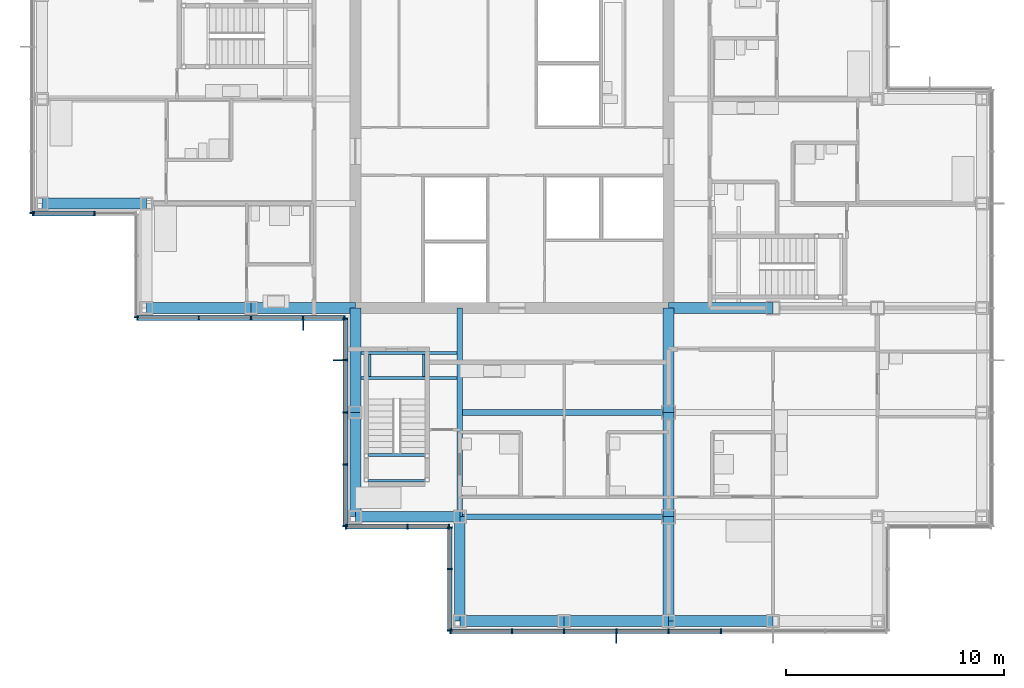
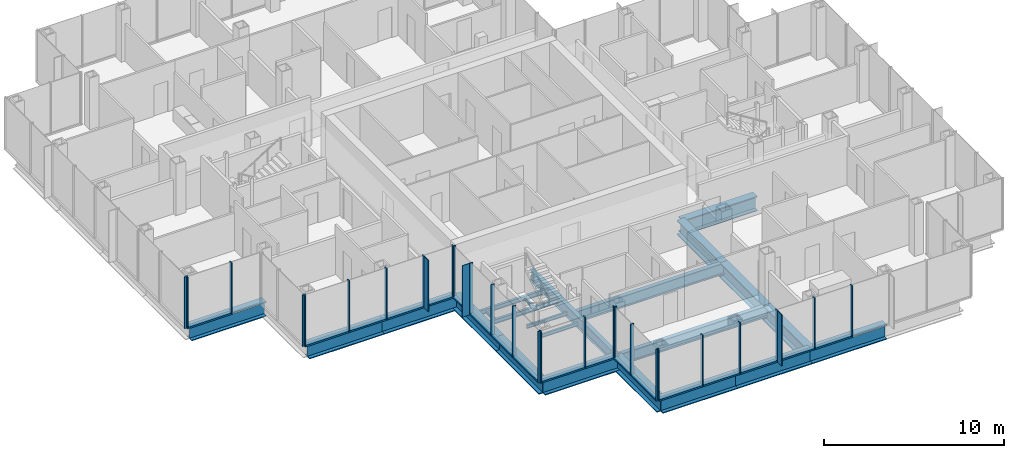
# One storey, part 6 of 20: 47 members, 23 beams, 8 elements without a shape of their own.
"""IFC4 building model written with IfcOpenShell, lengths in metres."""

import ifcopenshell
import ifcopenshell.guid

model = None  # the IFC model being written
_history = None  # IfcOwnerHistory: only IFC2X3 demands one
_inside = {}  # id of a spatial element -> (the spatial element, [elements in it])
_under = {}  # id of a project, library or spatial element -> (it, [spatial elements below it])
_declared = {}  # id of a project -> (the project, [libraries it declares])
_typed = {}  # id of a type object -> (the type object, [elements of that type])
_made_of = {}  # id of a material, layer set ... -> (it, [elements and type objects made of it])


def new_model(schema):
    """Start an empty IFC model of exactly this schema.

    Asked for "IFC4X3", IfcOpenShell would pick the latest addendum, in which some entities
    have other attributes; the version numbers below select the first issue.
    IFC2X3 requires an IfcOwnerHistory on every rooted entity: one is made here for all.
    """
    global model, _history
    if schema == "IFC4X3":
        model = ifcopenshell.file(schema_version=(4, 3, 0, 0))
    else:
        model = ifcopenshell.file(schema=schema)
    _inside.clear()
    _under.clear()
    _declared.clear()
    _typed.clear()
    _made_of.clear()
    _history = None
    if model.schema == "IFC2X3":
        org = make("IfcOrganization", Name="unknown")
        user = make(
            "IfcPersonAndOrganization",
            ThePerson=make("IfcPerson", FamilyName="unknown"),
            TheOrganization=org,
        )
        app = make(
            "IfcApplication",
            ApplicationDeveloper=org,
            Version="unknown",
            ApplicationFullName="unknown",
            ApplicationIdentifier="unknown",
        )
        _history = make(
            "IfcOwnerHistory",
            OwningUser=user,
            OwningApplication=app,
            ChangeAction="ADDED",
            CreationDate=0,
        )
    return model


def make(cls, **values):
    """One entity of the class cls with the attributes given. An attribute that is None is left unset."""
    return model.create_entity(
        cls, **{name: value for name, value in values.items() if value is not None}
    )


def rooted(cls, **values):
    """An entity with a GlobalId (a new one), such as an element, a storey or a relation."""
    return make(cls, GlobalId=ifcopenshell.guid.new(), OwnerHistory=_history, **values)


def si_unit(unit_type, name, prefix=None):
    """IfcSIUnit, for example si_unit("LENGTHUNIT", "METRE", prefix="MILLI")."""
    return make("IfcSIUnit", UnitType=unit_type, Prefix=prefix, Name=name)


def assignment(units):
    """IfcUnitAssignment: the units of a project."""
    return None if units is None else make("IfcUnitAssignment", Units=units)


def point(xyz):
    """IfcCartesianPoint."""
    return None if xyz is None else make("IfcCartesianPoint", Coordinates=xyz)


def direction(xyz):
    """IfcDirection."""
    return None if xyz is None else make("IfcDirection", DirectionRatios=xyz)


def frame(location, z_axis=None, x_axis=None):
    """IfcAxis2Placement3D, a coordinate frame: its origin and axes. An axis left out is left unset."""
    return make(
        "IfcAxis2Placement3D",
        Location=point(location),
        Axis=direction(z_axis),
        RefDirection=direction(x_axis),
    )


def frame_2d(location, x_axis=None):
    """IfcAxis2Placement2D, a coordinate frame in the plane: its origin and x axis."""
    return make(
        "IfcAxis2Placement2D", Location=point(location), RefDirection=direction(x_axis)
    )


def origin():
    """The frame at (0, 0, 0) with its axes left unset."""
    return frame((0.0, 0.0, 0.0))


def origin_2d():
    """The frame at (0, 0) in the plane with its x axis left unset."""
    return frame_2d((0.0, 0.0))


def place(relative_to, where):
    """IfcLocalPlacement: puts the frame where relative to a parent placement (None: the world)."""
    return make(
        "IfcLocalPlacement", PlacementRelTo=relative_to, RelativePlacement=where
    )


def context(
    kind, dimensions, precision=None, world=None, true_north=None, identifier=None
):
    """IfcGeometricRepresentationContext, for example the 3D "Model" context."""
    return make(
        "IfcGeometricRepresentationContext",
        ContextIdentifier=identifier,
        ContextType=kind,
        CoordinateSpaceDimension=dimensions,
        Precision=precision,
        WorldCoordinateSystem=world,
        TrueNorth=true_north,
    )


def subcontext(parent, identifier, kind, view, scale=None):
    """IfcGeometricRepresentationSubContext, for example "Body" below "Model"."""
    return make(
        "IfcGeometricRepresentationSubContext",
        ContextIdentifier=identifier,
        ContextType=kind,
        ParentContext=parent,
        TargetScale=scale,
        TargetView=view,
    )


def project(units=None, contexts=None):
    """IfcProject with its units and contexts."""
    return rooted(
        "IfcProject",
        Name="project",
        RepresentationContexts=contexts,
        UnitsInContext=assignment(units),
    )


def spatial(cls, under=None, at=None, **own):
    """A site, building, storey or space (cls), placed at a placement, below another one or the project."""
    s = rooted(cls, ObjectPlacement=at, **own)
    if under is not None:
        _under.setdefault(under.id(), (under, []))[1].append(s)
    return s


def profile(cls, at=None, kind="AREA", **sizes):
    """A parametric profile (cls). Its sizes go by their IFC names, for example OverallWidth=200.0."""
    return make(cls, ProfileType=kind, Position=at, **sizes)


def rectangle(**sizes):
    """IfcRectangleProfileDef."""
    return profile("IfcRectangleProfileDef", **sizes)


def i_section(**sizes):
    """IfcIShapeProfileDef."""
    return profile("IfcIShapeProfileDef", **sizes)


def extrude(swept, where, along, depth):
    """IfcExtrudedAreaSolid: the profile swept, set in the frame where, extruded along a direction by depth."""
    return make(
        "IfcExtrudedAreaSolid",
        SweptArea=swept,
        Position=where,
        ExtrudedDirection=direction(along),
        Depth=depth,
    )


def shape(context_of_items, identifier, shape_type, items):
    """IfcShapeRepresentation: the items that make up one representation, for example the "Body"."""
    return make(
        "IfcShapeRepresentation",
        ContextOfItems=context_of_items,
        RepresentationIdentifier=identifier,
        RepresentationType=shape_type,
        Items=items,
    )


def material(Name=None, Category=None):
    """IfcMaterial."""
    return make("IfcMaterial", Name=Name, Category=Category)


def material_profile(
    of_material, cross_section, Name=None, Category=None, Priority=None
):
    """IfcMaterialProfile: a cross section and its material."""
    return make(
        "IfcMaterialProfile",
        Name=Name,
        Material=of_material,
        Profile=cross_section,
        Priority=Priority,
        Category=Category,
    )


def profile_set(profiles, Name=None, composite=None):
    """IfcMaterialProfileSet."""
    return make(
        "IfcMaterialProfileSet",
        Name=Name,
        MaterialProfiles=profiles,
        CompositeProfile=composite,
    )


def made_of(thing, what):
    """Note that an element or type object is made of a material, layer set ...; save() writes the relation."""
    if what is not None:
        _made_of.setdefault(what.id(), (what, []))[1].append(thing)
    return thing


def type_object(cls, material=None, **own):
    """A type object (cls), such as IfcWallType, which elements share."""
    return made_of(rooted(cls, **own), material)


def element(
    cls,
    number,
    at=None,
    inside=None,
    cuts=None,
    type_object=None,
    material=None,
    context=None,
    identifier="Body",
    shape_type=None,
    held_by="IfcProductDefinitionShape",
    body=None,
    shapes=None,
    **own,
):
    """One element of the class cls, such as IfcWall. Its Tag is "e" and its number.

    at: its placement. inside: the storey or other place that contains it. cuts: it is an
    opening in that element (IfcRelVoidsElement). A single representation is given by context,
    identifier, shape_type and body (its items); several are given by shapes. held_by: the class
    of the entity that holds the representations. save() writes the other relations.
    """
    e = rooted(cls, Tag="e%d" % number, ObjectPlacement=at, **own)
    if body is not None:
        shapes = [shape(context, identifier, shape_type, body)]
    if shapes is not None:
        e.Representation = make(held_by, Representations=shapes)
    if inside is not None:
        _inside.setdefault(inside.id(), (inside, []))[1].append(e)
    if cuts is not None:
        rooted(
            "IfcRelVoidsElement", RelatingBuildingElement=cuts, RelatedOpeningElement=e
        )
    if type_object is not None:
        _typed.setdefault(type_object.id(), (type_object, []))[1].append(e)
    return made_of(e, material)


def aggregate(whole, parts):
    """IfcRelAggregates: a whole, such as a stair, and the parts it consists of."""
    return rooted("IfcRelAggregates", RelatingObject=whole, RelatedObjects=parts)


def save(model, path):
    """Write the relations noted so far, then the file.

    IfcRelAggregates (storeys below a building ...), IfcRelContainedInSpatialStructure (elements
    in a storey), IfcRelDefinesByType, IfcRelAssociatesMaterial and IfcRelDeclares: one each for
    every whole, place, type object, material and project.
    """
    for whole, parts in _under.values():
        aggregate(whole, parts)
    for where, things in _inside.values():
        rooted(
            "IfcRelContainedInSpatialStructure",
            RelatedElements=things,
            RelatingStructure=where,
        )
    for kind, things in _typed.values():
        rooted("IfcRelDefinesByType", RelatedObjects=things, RelatingType=kind)
    for what, things in _made_of.values():
        rooted("IfcRelAssociatesMaterial", RelatedObjects=things, RelatingMaterial=what)
    for by, libraries in _declared.values():
        rooted("IfcRelDeclares", RelatingContext=by, RelatedDefinitions=libraries)
    model.write(path)


model = new_model("IFC4")

# Units and contexts
model_context = context("Model", 3, precision=1e-05, world=origin(), true_north=direction((0.0, 1.0)))
body_context = subcontext(model_context, "Body", "Model", "MODEL_VIEW")
ifc_project = project(units=[si_unit("LENGTHUNIT", "METRE"), si_unit("AREAUNIT", "SQUARE_METRE"), si_unit("VOLUMEUNIT", "CUBIC_METRE"), si_unit("PLANEANGLEUNIT", "RADIAN"), si_unit("MASSUNIT", "GRAM", prefix="KILO")], contexts=[model_context])

# Site, building, storey
site_placement = place(None, origin())
site = spatial("IfcSite", under=ifc_project, at=site_placement, CompositionType="ELEMENT")
building_placement = place(site_placement, origin())
building = spatial("IfcBuilding", under=site, at=building_placement, Name="Kvirike Care Tower", CompositionType="ELEMENT")
storey_placement = place(building_placement, frame((0.0, 0.0, 126.0)))
storey = spatial("IfcBuildingStorey", under=building, at=storey_placement, Name="L34", CompositionType="ELEMENT", Elevation=126.0)

# Curtain wall, member
ifc_material_1 = material(Name="Anodised aluminium stick system", Category="aluminium")
curtain_wall_type = type_object("IfcCurtainWallType", Name="CW-B STICK CURTAIN WALL", PredefinedType="NOTDEFINED", material=ifc_material_1)
curtain_wall_1_placement = place(storey_placement, origin())
curtain_wall_1 = element("IfcCurtainWall", 1, at=curtain_wall_1_placement, inside=storey, type_object=curtain_wall_type, Name="Curtain wall L34 face 14", PredefinedType="NOTDEFINED")
ifc_material_2 = material(Name="Bronze anodised aluminium fin", Category="aluminium")
ifc_material_profile_1 = material_profile(ifc_material_2, rectangle(XDim=0.050048828125, YDim=0.449951171875, at=origin_2d()), Name="BRONZE FIN 450")
ifc_profile_set_1 = profile_set([ifc_material_profile_1], Name="Bronze anodised aluminium fin")
member_type_1 = type_object("IfcMemberType", Name="BRONZE FIN 450", PredefinedType="USERDEFINED", material=ifc_profile_set_1)
member_1_placement = place(storey_placement, frame((12.0, 28.0048828125, 0.0), z_axis=(0.0, 0.0, 1.0), x_axis=(1.0, 0.0, 0.0)))
member_1 = element("IfcMember", 2, at=member_1_placement, type_object=member_type_1, Name="Bronze fin L34 face 14.4", ObjectType="FIN", PredefinedType="USERDEFINED", context=body_context, shape_type="SweptSolid", body=[
    extrude(rectangle(XDim=0.050048828125, YDim=0.449951171875, at=origin_2d()), origin(), (0.0, 0.0, 1.0), 3.5),
])

curtain_wall_2_placement = place(storey_placement, origin())
curtain_wall_2 = element("IfcCurtainWall", 3, at=curtain_wall_2_placement, inside=storey, type_object=curtain_wall_type, Name="Curtain wall L34 face 15", PredefinedType="NOTDEFINED")
member_2_placement = place(storey_placement, frame((13.60498046875, 26.39990234375, 0.0), z_axis=(0.0, 0.0, 1.0), x_axis=(0.0, -1.0, 0.0)))
member_2 = element("IfcMember", 4, at=member_2_placement, type_object=member_type_1, Name="Bronze fin L34 face 15.2", ObjectType="FIN", PredefinedType="USERDEFINED", context=body_context, shape_type="SweptSolid", body=[
    extrude(rectangle(XDim=0.050048828125, YDim=0.449951171875, at=origin_2d()), origin(), (0.0, 0.0, 1.0), 3.5),
])

curtain_wall_3_placement = place(storey_placement, origin())
curtain_wall_3 = element("IfcCurtainWall", 5, at=curtain_wall_3_placement, inside=storey, type_object=curtain_wall_type, Name="Curtain wall L34 face 18", PredefinedType="NOTDEFINED")
member_3_placement = place(storey_placement, frame((26.39990234375, 13.60498046875, 0.0), z_axis=(0.0, 0.0, 1.0), x_axis=(1.0, 0.0, 0.0)))
member_3 = element("IfcMember", 6, at=member_3_placement, type_object=member_type_1, Name="Bronze fin L34 face 18.4", ObjectType="FIN", PredefinedType="USERDEFINED", context=body_context, shape_type="SweptSolid", body=[
    extrude(rectangle(XDim=0.050048828125, YDim=0.449951171875, at=origin_2d()), origin(), (0.0, 0.0, 1.0), 3.5),
])

curtain_wall_4_placement = place(storey_placement, origin())
curtain_wall_4 = element("IfcCurtainWall", 7, at=curtain_wall_4_placement, inside=storey, type_object=curtain_wall_type, Name="Curtain wall L34 face 11", PredefinedType="NOTDEFINED")
ifc_material_3 = material(Name="Bronze anodised aluminium mullion", Category="aluminium")
ifc_material_profile_2 = material_profile(ifc_material_3, rectangle(XDim=0.06494140625, YDim=0.219970703125, at=origin_2d()), Name="CW-B MULLION 65x220")
ifc_profile_set_2 = profile_set([ifc_material_profile_2], Name="Bronze anodised aluminium mullion")
member_type_2 = type_object("IfcMemberType", Name="CW-B MULLION 65x220", PredefinedType="MULLION", material=ifc_profile_set_2)
member_4_placement = place(storey_placement, frame((-0.4599609375, 33.172607421875, 0.0), z_axis=(0.0, 0.0, 1.0), x_axis=(0.0, -1.0, 0.0)))
member_4 = element("IfcMember", 8, at=member_4_placement, type_object=member_type_2, Name="CW-B mullion L34 face 11.9", PredefinedType="MULLION", context=body_context, shape_type="SweptSolid", body=[
    extrude(rectangle(XDim=0.06494140625, YDim=0.219970703125, at=origin_2d()), origin(), (0.0, 0.0, 1.0), 3.5),
])
aggregate(curtain_wall_4, [member_4])

# Curtain wall, members
curtain_wall_5_placement = place(storey_placement, origin())
curtain_wall_5 = element("IfcCurtainWall", 9, at=curtain_wall_5_placement, inside=storey, type_object=curtain_wall_type, Name="Curtain wall L34 face 12", PredefinedType="NOTDEFINED")
member_5_placement = place(storey_placement, frame((-0.427490234375, 33.139892578125, 0.0), z_axis=(0.0, 0.0, 1.0), x_axis=(1.0, 0.0, 0.0)))
member_5 = element("IfcMember", 10, at=member_5_placement, type_object=member_type_2, Name="CW-B mullion L34 face 12.1", PredefinedType="MULLION", context=body_context, shape_type="SweptSolid", body=[
    extrude(rectangle(XDim=0.06494140625, YDim=0.219970703125, at=origin_2d()), origin(), (0.0, 0.0, 1.0), 3.5),
])
member_6_placement = place(storey_placement, frame((2.39990234375, 33.139892578125, 0.0), z_axis=(0.0, 0.0, 1.0), x_axis=(1.0, 0.0, 0.0)))
member_6 = element("IfcMember", 11, at=member_6_placement, type_object=member_type_2, Name="CW-B mullion L34 face 12.2", PredefinedType="MULLION", context=body_context, shape_type="SweptSolid", body=[
    extrude(rectangle(XDim=0.06494140625, YDim=0.219970703125, at=origin_2d()), origin(), (0.0, 0.0, 1.0), 3.5),
])

# Curtain wall, member
curtain_wall_6_placement = place(storey_placement, origin())
curtain_wall_6 = element("IfcCurtainWall", 12, at=curtain_wall_6_placement, inside=storey, type_object=curtain_wall_type, Name="Curtain wall L34 face 13", PredefinedType="NOTDEFINED")
member_7_placement = place(storey_placement, frame((4.340087890625, 28.37255859375, 0.0), z_axis=(0.0, 0.0, 1.0), x_axis=(0.0, -1.0, 0.0)))
member_7 = element("IfcMember", 13, at=member_7_placement, type_object=member_type_2, Name="CW-B mullion L34 face 13.3", PredefinedType="MULLION", context=body_context, shape_type="SweptSolid", body=[
    extrude(rectangle(XDim=0.06494140625, YDim=0.219970703125, at=origin_2d()), origin(), (0.0, 0.0, 1.0), 3.5),
])
aggregate(curtain_wall_6, [member_7])

# Member
member_8_placement = place(storey_placement, frame((4.37255859375, 28.340087890625, 0.0), z_axis=(0.0, 0.0, 1.0), x_axis=(1.0, 0.0, 0.0)))
member_8 = element("IfcMember", 14, at=member_8_placement, type_object=member_type_2, Name="CW-B mullion L34 face 14.1", PredefinedType="MULLION", context=body_context, shape_type="SweptSolid", body=[
    extrude(rectangle(XDim=0.06494140625, YDim=0.219970703125, at=origin_2d()), origin(), (0.0, 0.0, 1.0), 3.5),
])

member_9_placement = place(storey_placement, frame((7.199951171875, 28.340087890625, 0.0), z_axis=(0.0, 0.0, 1.0), x_axis=(1.0, 0.0, 0.0)))
member_9 = element("IfcMember", 15, at=member_9_placement, type_object=member_type_2, Name="CW-B mullion L34 face 14.2", PredefinedType="MULLION", context=body_context, shape_type="SweptSolid", body=[
    extrude(rectangle(XDim=0.06494140625, YDim=0.219970703125, at=origin_2d()), origin(), (0.0, 0.0, 1.0), 3.5),
])

member_10_placement = place(storey_placement, frame((9.60009765625, 28.340087890625, 0.0), z_axis=(0.0, 0.0, 1.0), x_axis=(1.0, 0.0, 0.0)))
member_10 = element("IfcMember", 16, at=member_10_placement, type_object=member_type_2, Name="CW-B mullion L34 face 14.3", PredefinedType="MULLION", context=body_context, shape_type="SweptSolid", body=[
    extrude(rectangle(XDim=0.06494140625, YDim=0.219970703125, at=origin_2d()), origin(), (0.0, 0.0, 1.0), 3.5),
])

member_11_placement = place(storey_placement, frame((12.0, 28.340087890625, 0.0), z_axis=(0.0, 0.0, 1.0), x_axis=(1.0, 0.0, 0.0)))
member_11 = element("IfcMember", 17, at=member_11_placement, type_object=member_type_2, Name="CW-B mullion L34 face 14.4", PredefinedType="MULLION", context=body_context, shape_type="SweptSolid", body=[
    extrude(rectangle(XDim=0.06494140625, YDim=0.219970703125, at=origin_2d()), origin(), (0.0, 0.0, 1.0), 3.5),
])

member_12_placement = place(storey_placement, frame((13.907470703125, 28.340087890625, 0.0), z_axis=(0.0, 0.0, 1.0), x_axis=(1.0, 0.0, 0.0)))
member_12 = element("IfcMember", 18, at=member_12_placement, type_object=member_type_2, Name="CW-B mullion L34 face 14.5", PredefinedType="MULLION", context=body_context, shape_type="SweptSolid", body=[
    extrude(rectangle(XDim=0.06494140625, YDim=0.219970703125, at=origin_2d()), origin(), (0.0, 0.0, 1.0), 3.5),
])

member_13_placement = place(storey_placement, frame((13.93994140625, 28.3076171875, 0.0), z_axis=(0.0, 0.0, 1.0), x_axis=(0.0, -1.0, 0.0)))
member_13 = element("IfcMember", 19, at=member_13_placement, type_object=member_type_2, Name="CW-B mullion L34 face 15.1", PredefinedType="MULLION", context=body_context, shape_type="SweptSolid", body=[
    extrude(rectangle(XDim=0.06494140625, YDim=0.219970703125, at=origin_2d()), origin(), (0.0, 0.0, 1.0), 3.5),
])

member_14_placement = place(storey_placement, frame((13.93994140625, 26.39990234375, 0.0), z_axis=(0.0, 0.0, 1.0), x_axis=(0.0, -1.0, 0.0)))
member_14 = element("IfcMember", 20, at=member_14_placement, type_object=member_type_2, Name="CW-B mullion L34 face 15.2", PredefinedType="MULLION", context=body_context, shape_type="SweptSolid", body=[
    extrude(rectangle(XDim=0.06494140625, YDim=0.219970703125, at=origin_2d()), origin(), (0.0, 0.0, 1.0), 3.5),
])

member_15_placement = place(storey_placement, frame((13.93994140625, 24.0, 0.0), z_axis=(0.0, 0.0, 1.0), x_axis=(0.0, -1.0, 0.0)))
member_15 = element("IfcMember", 21, at=member_15_placement, type_object=member_type_2, Name="CW-B mullion L34 face 15.3", PredefinedType="MULLION", context=body_context, shape_type="SweptSolid", body=[
    extrude(rectangle(XDim=0.06494140625, YDim=0.219970703125, at=origin_2d()), origin(), (0.0, 0.0, 1.0), 3.5),
])

member_16_placement = place(storey_placement, frame((13.93994140625, 21.60009765625, 0.0), z_axis=(0.0, 0.0, 1.0), x_axis=(0.0, -1.0, 0.0)))
member_16 = element("IfcMember", 22, at=member_16_placement, type_object=member_type_2, Name="CW-B mullion L34 face 15.4", PredefinedType="MULLION", context=body_context, shape_type="SweptSolid", body=[
    extrude(rectangle(XDim=0.06494140625, YDim=0.219970703125, at=origin_2d()), origin(), (0.0, 0.0, 1.0), 3.5),
])

member_17_placement = place(storey_placement, frame((13.93994140625, 18.7724609375, 0.0), z_axis=(0.0, 0.0, 1.0), x_axis=(0.0, -1.0, 0.0)))
member_17 = element("IfcMember", 23, at=member_17_placement, type_object=member_type_2, Name="CW-B mullion L34 face 15.5", PredefinedType="MULLION", context=body_context, shape_type="SweptSolid", body=[
    extrude(rectangle(XDim=0.06494140625, YDim=0.219970703125, at=origin_2d()), origin(), (0.0, 0.0, 1.0), 3.5),
])

# Curtain wall, members
curtain_wall_7_placement = place(storey_placement, origin())
curtain_wall_7 = element("IfcCurtainWall", 24, at=curtain_wall_7_placement, inside=storey, type_object=curtain_wall_type, Name="Curtain wall L34 face 16", PredefinedType="NOTDEFINED")
member_18_placement = place(storey_placement, frame((13.972412109375, 18.739990234375, 0.0), z_axis=(0.0, 0.0, 1.0), x_axis=(1.0, 0.0, 0.0)))
member_18 = element("IfcMember", 25, at=member_18_placement, type_object=member_type_2, Name="CW-B mullion L34 face 16.1", PredefinedType="MULLION", context=body_context, shape_type="SweptSolid", body=[
    extrude(rectangle(XDim=0.06494140625, YDim=0.219970703125, at=origin_2d()), origin(), (0.0, 0.0, 1.0), 3.5),
])
member_19_placement = place(storey_placement, frame((16.800048828125, 18.739990234375, 0.0), z_axis=(0.0, 0.0, 1.0), x_axis=(1.0, 0.0, 0.0)))
member_19 = element("IfcMember", 26, at=member_19_placement, type_object=member_type_2, Name="CW-B mullion L34 face 16.2", PredefinedType="MULLION", context=body_context, shape_type="SweptSolid", body=[
    extrude(rectangle(XDim=0.06494140625, YDim=0.219970703125, at=origin_2d()), origin(), (0.0, 0.0, 1.0), 3.5),
])
member_20_placement = place(storey_placement, frame((18.70751953125, 18.739990234375, 0.0), z_axis=(0.0, 0.0, 1.0), x_axis=(1.0, 0.0, 0.0)))
member_20 = element("IfcMember", 27, at=member_20_placement, type_object=member_type_2, Name="CW-B mullion L34 face 16.3", PredefinedType="MULLION", context=body_context, shape_type="SweptSolid", body=[
    extrude(rectangle(XDim=0.06494140625, YDim=0.219970703125, at=origin_2d()), origin(), (0.0, 0.0, 1.0), 3.5),
])

curtain_wall_8_placement = place(storey_placement, origin())
curtain_wall_8 = element("IfcCurtainWall", 28, at=curtain_wall_8_placement, inside=storey, type_object=curtain_wall_type, Name="Curtain wall L34 face 17", PredefinedType="NOTDEFINED")
member_21_placement = place(storey_placement, frame((18.739990234375, 18.70751953125, 0.0), z_axis=(0.0, 0.0, 1.0), x_axis=(0.0, -1.0, 0.0)))
member_21 = element("IfcMember", 29, at=member_21_placement, type_object=member_type_2, Name="CW-B mullion L34 face 17.1", PredefinedType="MULLION", context=body_context, shape_type="SweptSolid", body=[
    extrude(rectangle(XDim=0.06494140625, YDim=0.219970703125, at=origin_2d()), origin(), (0.0, 0.0, 1.0), 3.5),
])
member_22_placement = place(storey_placement, frame((18.739990234375, 16.800048828125, 0.0), z_axis=(0.0, 0.0, 1.0), x_axis=(0.0, -1.0, 0.0)))
member_22 = element("IfcMember", 30, at=member_22_placement, type_object=member_type_2, Name="CW-B mullion L34 face 17.2", PredefinedType="MULLION", context=body_context, shape_type="SweptSolid", body=[
    extrude(rectangle(XDim=0.06494140625, YDim=0.219970703125, at=origin_2d()), origin(), (0.0, 0.0, 1.0), 3.5),
])
member_23_placement = place(storey_placement, frame((18.739990234375, 13.972412109375, 0.0), z_axis=(0.0, 0.0, 1.0), x_axis=(0.0, -1.0, 0.0)))
member_23 = element("IfcMember", 31, at=member_23_placement, type_object=member_type_2, Name="CW-B mullion L34 face 17.3", PredefinedType="MULLION", context=body_context, shape_type="SweptSolid", body=[
    extrude(rectangle(XDim=0.06494140625, YDim=0.219970703125, at=origin_2d()), origin(), (0.0, 0.0, 1.0), 3.5),
])

# Member
member_24_placement = place(storey_placement, frame((18.7724609375, 13.93994140625, 0.0), z_axis=(0.0, 0.0, 1.0), x_axis=(1.0, 0.0, 0.0)))
member_24 = element("IfcMember", 32, at=member_24_placement, type_object=member_type_2, Name="CW-B mullion L34 face 18.1", PredefinedType="MULLION", context=body_context, shape_type="SweptSolid", body=[
    extrude(rectangle(XDim=0.06494140625, YDim=0.219970703125, at=origin_2d()), origin(), (0.0, 0.0, 1.0), 3.5),
])

member_25_placement = place(storey_placement, frame((21.60009765625, 13.93994140625, 0.0), z_axis=(0.0, 0.0, 1.0), x_axis=(1.0, 0.0, 0.0)))
member_25 = element("IfcMember", 33, at=member_25_placement, type_object=member_type_2, Name="CW-B mullion L34 face 18.2", PredefinedType="MULLION", context=body_context, shape_type="SweptSolid", body=[
    extrude(rectangle(XDim=0.06494140625, YDim=0.219970703125, at=origin_2d()), origin(), (0.0, 0.0, 1.0), 3.5),
])

member_26_placement = place(storey_placement, frame((24.0, 13.93994140625, 0.0), z_axis=(0.0, 0.0, 1.0), x_axis=(1.0, 0.0, 0.0)))
member_26 = element("IfcMember", 34, at=member_26_placement, type_object=member_type_2, Name="CW-B mullion L34 face 18.3", PredefinedType="MULLION", context=body_context, shape_type="SweptSolid", body=[
    extrude(rectangle(XDim=0.06494140625, YDim=0.219970703125, at=origin_2d()), origin(), (0.0, 0.0, 1.0), 3.5),
])

member_27_placement = place(storey_placement, frame((26.39990234375, 13.93994140625, 0.0), z_axis=(0.0, 0.0, 1.0), x_axis=(1.0, 0.0, 0.0)))
member_27 = element("IfcMember", 35, at=member_27_placement, type_object=member_type_2, Name="CW-B mullion L34 face 18.4", PredefinedType="MULLION", context=body_context, shape_type="SweptSolid", body=[
    extrude(rectangle(XDim=0.06494140625, YDim=0.219970703125, at=origin_2d()), origin(), (0.0, 0.0, 1.0), 3.5),
])

member_28_placement = place(storey_placement, frame((28.800048828125, 13.93994140625, 0.0), z_axis=(0.0, 0.0, 1.0), x_axis=(1.0, 0.0, 0.0)))
member_28 = element("IfcMember", 36, at=member_28_placement, type_object=member_type_2, Name="CW-B mullion L34 face 18.5", PredefinedType="MULLION", context=body_context, shape_type="SweptSolid", body=[
    extrude(rectangle(XDim=0.06494140625, YDim=0.219970703125, at=origin_2d()), origin(), (0.0, 0.0, 1.0), 3.5),
])

member_29_placement = place(storey_placement, frame((31.199951171875, 13.93994140625, 0.0), z_axis=(0.0, 0.0, 1.0), x_axis=(1.0, 0.0, 0.0)))
member_29 = element("IfcMember", 37, at=member_29_placement, type_object=member_type_2, Name="CW-B mullion L34 face 18.6", PredefinedType="MULLION", context=body_context, shape_type="SweptSolid", body=[
    extrude(rectangle(XDim=0.06494140625, YDim=0.219970703125, at=origin_2d()), origin(), (0.0, 0.0, 1.0), 3.5),
])

ifc_material_4 = material(Name="Bronze anodised aluminium transom", Category="aluminium")
ifc_material_profile_3 = material_profile(ifc_material_4, rectangle(XDim=0.219970703125, YDim=0.10009765625, at=origin_2d()), Name="CW-B TRANSOM 220x100")
ifc_profile_set_3 = profile_set([ifc_material_profile_3], Name="Bronze anodised aluminium transom")
member_type_3 = type_object("IfcMemberType", Name="CW-B TRANSOM 220x100", PredefinedType="USERDEFINED", material=ifc_profile_set_3)
member_30_placement = place(storey_placement, frame((-0.39501953125, 33.139892578125, 0.050048828125), z_axis=(1.0, 0.0, 0.0), x_axis=(0.0, 1.0, 0.0)))
member_30 = element("IfcMember", 38, at=member_30_placement, type_object=member_type_3, Name="CW-B sill transom L34 face 12.1", ObjectType="TRANSOM", PredefinedType="USERDEFINED", context=body_context, shape_type="SweptSolid", body=[
    extrude(rectangle(XDim=0.219970703125, YDim=0.10009765625, at=origin_2d()), origin(), (0.0, 0.0, 1.0), 2.762451171875),
])

aggregate(curtain_wall_5, [member_5, member_6, member_30])

member_31_placement = place(storey_placement, frame((4.405029296875, 28.340087890625, 0.050048828125), z_axis=(1.0, 0.0, 0.0), x_axis=(0.0, 1.0, 0.0)))
member_31 = element("IfcMember", 39, at=member_31_placement, type_object=member_type_3, Name="CW-B sill transom L34 face 14.1", ObjectType="TRANSOM", PredefinedType="USERDEFINED", context=body_context, shape_type="SweptSolid", body=[
    extrude(rectangle(XDim=0.219970703125, YDim=0.10009765625, at=origin_2d()), origin(), (0.0, 0.0, 1.0), 2.762451171875),
])

member_32_placement = place(storey_placement, frame((7.232421875, 28.340087890625, 0.050048828125), z_axis=(1.0, 0.0, 0.0), x_axis=(0.0, 1.0, 0.0)))
member_32 = element("IfcMember", 40, at=member_32_placement, type_object=member_type_3, Name="CW-B sill transom L34 face 14.2", ObjectType="TRANSOM", PredefinedType="USERDEFINED", context=body_context, shape_type="SweptSolid", body=[
    extrude(rectangle(XDim=0.219970703125, YDim=0.10009765625, at=origin_2d()), origin(), (0.0, 0.0, 1.0), 2.3349609375),
])

member_33_placement = place(storey_placement, frame((9.632568359375, 28.340087890625, 0.050048828125), z_axis=(1.0, 0.0, 0.0), x_axis=(0.0, 1.0, 0.0)))
member_33 = element("IfcMember", 41, at=member_33_placement, type_object=member_type_3, Name="CW-B sill transom L34 face 14.3", ObjectType="TRANSOM", PredefinedType="USERDEFINED", context=body_context, shape_type="SweptSolid", body=[
    extrude(rectangle(XDim=0.219970703125, YDim=0.10009765625, at=origin_2d()), origin(), (0.0, 0.0, 1.0), 2.3349609375),
])

member_34_placement = place(storey_placement, frame((12.032470703125, 28.340087890625, 0.050048828125), z_axis=(1.0, 0.0, 0.0), x_axis=(0.0, 1.0, 0.0)))
member_34 = element("IfcMember", 42, at=member_34_placement, type_object=member_type_3, Name="CW-B sill transom L34 face 14.4", ObjectType="TRANSOM", PredefinedType="USERDEFINED", context=body_context, shape_type="SweptSolid", body=[
    extrude(rectangle(XDim=0.219970703125, YDim=0.10009765625, at=origin_2d()), origin(), (0.0, 0.0, 1.0), 1.842529296875),
])

aggregate(curtain_wall_1, [member_8, member_9, member_10, member_11, member_1, member_12, member_31, member_32, member_33, member_34])

member_35_placement = place(storey_placement, frame((13.93994140625, 28.27490234375, 0.050048828125), z_axis=(0.0, -1.0, 0.0), x_axis=(1.0, 0.0, 0.0)))
member_35 = element("IfcMember", 43, at=member_35_placement, type_object=member_type_3, Name="CW-B sill transom L34 face 15.1", ObjectType="TRANSOM", PredefinedType="USERDEFINED", context=body_context, shape_type="SweptSolid", body=[
    extrude(rectangle(XDim=0.219970703125, YDim=0.10009765625, at=origin_2d()), origin(), (0.0, 0.0, 1.0), 1.84228515625),
])

member_36_placement = place(storey_placement, frame((13.93994140625, 26.367431640625, 0.050048828125), z_axis=(0.0, -1.0, 0.0), x_axis=(1.0, 0.0, 0.0)))
member_36 = element("IfcMember", 44, at=member_36_placement, type_object=member_type_3, Name="CW-B sill transom L34 face 15.2", ObjectType="TRANSOM", PredefinedType="USERDEFINED", context=body_context, shape_type="SweptSolid", body=[
    extrude(rectangle(XDim=0.219970703125, YDim=0.10009765625, at=origin_2d()), origin(), (0.0, 0.0, 1.0), 2.3349609375),
])

member_37_placement = place(storey_placement, frame((13.93994140625, 23.967529296875, 0.050048828125), z_axis=(0.0, -1.0, 0.0), x_axis=(1.0, 0.0, 0.0)))
member_37 = element("IfcMember", 45, at=member_37_placement, type_object=member_type_3, Name="CW-B sill transom L34 face 15.3", ObjectType="TRANSOM", PredefinedType="USERDEFINED", context=body_context, shape_type="SweptSolid", body=[
    extrude(rectangle(XDim=0.219970703125, YDim=0.10009765625, at=origin_2d()), origin(), (0.0, 0.0, 1.0), 2.3349609375),
])

member_38_placement = place(storey_placement, frame((13.93994140625, 21.5673828125, 0.050048828125), z_axis=(0.0, -1.0, 0.0), x_axis=(1.0, 0.0, 0.0)))
member_38 = element("IfcMember", 46, at=member_38_placement, type_object=member_type_3, Name="CW-B sill transom L34 face 15.4", ObjectType="TRANSOM", PredefinedType="USERDEFINED", context=body_context, shape_type="SweptSolid", body=[
    extrude(rectangle(XDim=0.219970703125, YDim=0.10009765625, at=origin_2d()), origin(), (0.0, 0.0, 1.0), 2.762451171875),
])

aggregate(curtain_wall_2, [member_13, member_14, member_2, member_15, member_16, member_17, member_35, member_36, member_37, member_38])

member_39_placement = place(storey_placement, frame((14.0048828125, 18.739990234375, 0.050048828125), z_axis=(1.0, 0.0, 0.0), x_axis=(0.0, 1.0, 0.0)))
member_39 = element("IfcMember", 47, at=member_39_placement, type_object=member_type_3, Name="CW-B sill transom L34 face 16.1", ObjectType="TRANSOM", PredefinedType="USERDEFINED", context=body_context, shape_type="SweptSolid", body=[
    extrude(rectangle(XDim=0.219970703125, YDim=0.10009765625, at=origin_2d()), origin(), (0.0, 0.0, 1.0), 2.7626953125),
])

member_40_placement = place(storey_placement, frame((16.83251953125, 18.739990234375, 0.050048828125), z_axis=(1.0, 0.0, 0.0), x_axis=(0.0, 1.0, 0.0)))
member_40 = element("IfcMember", 48, at=member_40_placement, type_object=member_type_3, Name="CW-B sill transom L34 face 16.2", ObjectType="TRANSOM", PredefinedType="USERDEFINED", context=body_context, shape_type="SweptSolid", body=[
    extrude(rectangle(XDim=0.219970703125, YDim=0.10009765625, at=origin_2d()), origin(), (0.0, 0.0, 1.0), 1.842529296875),
])

aggregate(curtain_wall_7, [member_18, member_19, member_20, member_39, member_40])

member_41_placement = place(storey_placement, frame((18.739990234375, 18.675048828125, 0.050048828125), z_axis=(0.0, -1.0, 0.0), x_axis=(1.0, 0.0, 0.0)))
member_41 = element("IfcMember", 49, at=member_41_placement, type_object=member_type_3, Name="CW-B sill transom L34 face 17.1", ObjectType="TRANSOM", PredefinedType="USERDEFINED", context=body_context, shape_type="SweptSolid", body=[
    extrude(rectangle(XDim=0.219970703125, YDim=0.10009765625, at=origin_2d()), origin(), (0.0, 0.0, 1.0), 1.842529296875),
])

member_42_placement = place(storey_placement, frame((18.739990234375, 16.767578125, 0.050048828125), z_axis=(0.0, -1.0, 0.0), x_axis=(1.0, 0.0, 0.0)))
member_42 = element("IfcMember", 50, at=member_42_placement, type_object=member_type_3, Name="CW-B sill transom L34 face 17.2", ObjectType="TRANSOM", PredefinedType="USERDEFINED", context=body_context, shape_type="SweptSolid", body=[
    extrude(rectangle(XDim=0.219970703125, YDim=0.10009765625, at=origin_2d()), origin(), (0.0, 0.0, 1.0), 2.7626953125),
])

aggregate(curtain_wall_8, [member_21, member_22, member_23, member_41, member_42])

member_43_placement = place(storey_placement, frame((18.804931640625, 13.93994140625, 0.050048828125), z_axis=(1.0, 0.0, 0.0), x_axis=(0.0, 1.0, 0.0)))
member_43 = element("IfcMember", 51, at=member_43_placement, type_object=member_type_3, Name="CW-B sill transom L34 face 18.1", ObjectType="TRANSOM", PredefinedType="USERDEFINED", context=body_context, shape_type="SweptSolid", body=[
    extrude(rectangle(XDim=0.219970703125, YDim=0.10009765625, at=origin_2d()), origin(), (0.0, 0.0, 1.0), 2.762451171875),
])

member_44_placement = place(storey_placement, frame((21.632568359375, 13.93994140625, 0.050048828125), z_axis=(1.0, 0.0, 0.0), x_axis=(0.0, 1.0, 0.0)))
member_44 = element("IfcMember", 52, at=member_44_placement, type_object=member_type_3, Name="CW-B sill transom L34 face 18.2", ObjectType="TRANSOM", PredefinedType="USERDEFINED", context=body_context, shape_type="SweptSolid", body=[
    extrude(rectangle(XDim=0.219970703125, YDim=0.10009765625, at=origin_2d()), origin(), (0.0, 0.0, 1.0), 2.3349609375),
])

member_45_placement = place(storey_placement, frame((24.032470703125, 13.93994140625, 0.050048828125), z_axis=(1.0, 0.0, 0.0), x_axis=(0.0, 1.0, 0.0)))
member_45 = element("IfcMember", 53, at=member_45_placement, type_object=member_type_3, Name="CW-B sill transom L34 face 18.3", ObjectType="TRANSOM", PredefinedType="USERDEFINED", context=body_context, shape_type="SweptSolid", body=[
    extrude(rectangle(XDim=0.219970703125, YDim=0.10009765625, at=origin_2d()), origin(), (0.0, 0.0, 1.0), 2.3349609375),
])

member_46_placement = place(storey_placement, frame((26.4326171875, 13.93994140625, 0.050048828125), z_axis=(1.0, 0.0, 0.0), x_axis=(0.0, 1.0, 0.0)))
member_46 = element("IfcMember", 54, at=member_46_placement, type_object=member_type_3, Name="CW-B sill transom L34 face 18.4", ObjectType="TRANSOM", PredefinedType="USERDEFINED", context=body_context, shape_type="SweptSolid", body=[
    extrude(rectangle(XDim=0.219970703125, YDim=0.10009765625, at=origin_2d()), origin(), (0.0, 0.0, 1.0), 2.3349609375),
])

member_47_placement = place(storey_placement, frame((28.83251953125, 13.93994140625, 0.050048828125), z_axis=(1.0, 0.0, 0.0), x_axis=(0.0, 1.0, 0.0)))
member_47 = element("IfcMember", 55, at=member_47_placement, type_object=member_type_3, Name="CW-B sill transom L34 face 18.5", ObjectType="TRANSOM", PredefinedType="USERDEFINED", context=body_context, shape_type="SweptSolid", body=[
    extrude(rectangle(XDim=0.219970703125, YDim=0.10009765625, at=origin_2d()), origin(), (0.0, 0.0, 1.0), 2.3349609375),
])

aggregate(curtain_wall_3, [member_24, member_25, member_26, member_27, member_3, member_28, member_29, member_43, member_44, member_45, member_46, member_47])

# Beams
ifc_material_5 = material(Name="Steel S355", Category="steel")
ifc_material_profile_4 = material_profile(ifc_material_5, i_section(OverallWidth=0.26806640625, OverallDepth=0.77001953125, WebThickness=0.015625, FlangeThickness=0.025390625, FilletRadius=0.01708984375, at=origin_2d()), Name="IPE 750x196")
ifc_profile_set_4 = profile_set([ifc_material_profile_4], Name="Steel S355")
beam_type_1 = type_object("IfcBeamType", Name="FLOOR BEAM IPE 750x196", PredefinedType="BEAM", material=ifc_profile_set_4)
for number, where, z_axis, x_axis, name in (
    (56, (19.199951171875, 19.199951171875, -0.554931640625), (1.0, 0.0, 0.0), (0.0, 1.0, 0.0), "Floor Beam E7-E9 L34"),
    (57, (19.199951171875, 24.0, -0.554931640625), (1.0, 0.0, 0.0), (0.0, 1.0, 0.0), "Floor Beam F7-F9 L34"),
    (58, (19.199951171875, 19.199951171875, -0.554931640625), (0.0, 1.0, 0.0), (-1.0, 0.0, 0.0), "Floor Beam E7-G7 L34"),
):
    element("IfcBeam", number, at=place(storey_placement, frame(where, z_axis=z_axis, x_axis=x_axis)), inside=storey, type_object=beam_type_1, Name=name, PredefinedType="BEAM", context=body_context, shape_type="SweptSolid", body=[
        extrude(i_section(OverallWidth=0.26806640625, OverallDepth=0.77001953125, WebThickness=0.015625, FlangeThickness=0.025390625, FilletRadius=0.01708984375, at=origin_2d()), origin(), (0.0, 0.0, 1.0), 9.60009765625),
    ])
ifc_material_6 = material(Name="Steel S355", Category="steel")
ifc_material_profile_5 = material_profile(ifc_material_6, i_section(OverallWidth=0.5, OverallDepth=1.0, WebThickness=0.030029296875, FlangeThickness=0.06005859375, at=origin_2d()), Name="PG 1000x500x30x60")
ifc_profile_set_5 = profile_set([ifc_material_profile_5], Name="Steel S355")
beam_type_2 = type_object("IfcBeamType", Name="FRAME BEAM PG 1000x500x30x60", PredefinedType="BEAM", material=ifc_profile_set_5)
for number, where, z_axis, x_axis, name in (
    (59, (28.800048828125, 28.800048828125, -0.669921875), (1.0, 0.0, 0.0), (0.0, 1.0, 0.0), "Frame Beam G9-G10 L34"),
    (60, (28.800048828125, 14.39990234375, -0.669921875), (0.0, 1.0, 0.0), (-1.0, 0.0, 0.0), "Frame Beam D9-E9 L34"),
    (61, (28.800048828125, 19.199951171875, -0.669921875), (0.0, 1.0, 0.0), (-1.0, 0.0, 0.0), "Frame Beam E9-F9 L34"),
    (62, (28.800048828125, 24.0, -0.669921875), (0.0, 1.0, 0.0), (-1.0, 0.0, 0.0), "Frame Beam F9-G9 L34"),
):
    element("IfcBeam", number, at=place(storey_placement, frame(where, z_axis=z_axis, x_axis=x_axis)), inside=storey, type_object=beam_type_2, Name=name, PredefinedType="BEAM", context=body_context, shape_type="SweptSolid", body=[
        extrude(i_section(OverallWidth=0.5, OverallDepth=1.0, WebThickness=0.030029296875, FlangeThickness=0.06005859375, at=origin_2d()), origin(), (0.0, 0.0, 1.0), 4.800048828125),
    ])
ifc_material_7 = material(Name="Steel S355", Category="steel")
ifc_material_profile_6 = material_profile(ifc_material_7, i_section(OverallWidth=0.5, OverallDepth=1.0, WebThickness=0.030029296875, FlangeThickness=0.06005859375, at=origin_2d()), Name="PG 1000x500x30x60")
ifc_profile_set_6 = profile_set([ifc_material_profile_6], Name="Steel S355")
beam_type_3 = type_object("IfcBeamType", Name="SPANDREL PG 1000x500x30x60", PredefinedType="SPANDREL", material=ifc_profile_set_6)
for number, where, z_axis, x_axis, name in (
    (63, (19.199951171875, 14.39990234375, -0.669921875), (1.0, 0.0, 0.0), (0.0, 1.0, 0.0), "Spandrel D7-D8 L34"),
    (64, (24.0, 14.39990234375, -0.669921875), (1.0, 0.0, 0.0), (0.0, 1.0, 0.0), "Spandrel D8-D9 L34"),
    (65, (28.800048828125, 14.39990234375, -0.669921875), (1.0, 0.0, 0.0), (0.0, 1.0, 0.0), "Spandrel D9-D10 L34"),
    (66, (14.39990234375, 19.199951171875, -0.669921875), (1.0, 0.0, 0.0), (0.0, 1.0, 0.0), "Spandrel E6-E7 L34"),
    (67, (4.800048828125, 28.800048828125, -0.669921875), (1.0, 0.0, 0.0), (0.0, 1.0, 0.0), "Spandrel G4-G5 L34"),
):
    element("IfcBeam", number, at=place(storey_placement, frame(where, z_axis=z_axis, x_axis=x_axis)), inside=storey, type_object=beam_type_3, Name=name, PredefinedType="SPANDREL", context=body_context, shape_type="SweptSolid", body=[
        extrude(i_section(OverallWidth=0.5, OverallDepth=1.0, WebThickness=0.030029296875, FlangeThickness=0.06005859375, at=origin_2d()), origin(), (0.0, 0.0, 1.0), 4.800048828125),
    ])
beam_placement = place(storey_placement, frame((9.60009765625, 28.800048828125, -0.669921875), z_axis=(1.0, 0.0, 0.0), x_axis=(0.0, 1.0, 0.0)))
element("IfcBeam", 68, at=beam_placement, inside=storey, type_object=beam_type_3, Name="Spandrel G5-G6 L34", PredefinedType="SPANDREL", context=body_context, shape_type="SweptSolid", body=[
    extrude(i_section(OverallWidth=0.5, OverallDepth=1.0, WebThickness=0.030029296875, FlangeThickness=0.06005859375, at=origin_2d()), origin(), (0.0, 0.0, 1.0), 4.7998046875),
])
for number, where, z_axis, x_axis, name in (
    (69, (0.0, 33.60009765625, -0.669921875), (1.0, 0.0, 0.0), (0.0, 1.0, 0.0), "Spandrel H3-H4 L34"),
    (70, (14.39990234375, 19.199951171875, -0.669921875), (0.0, 1.0, 0.0), (-1.0, 0.0, 0.0), "Spandrel E6-F6 L34"),
    (71, (14.39990234375, 24.0, -0.669921875), (0.0, 1.0, 0.0), (-1.0, 0.0, 0.0), "Spandrel F6-G6 L34"),
    (72, (19.199951171875, 14.39990234375, -0.669921875), (0.0, 1.0, 0.0), (-1.0, 0.0, 0.0), "Spandrel D7-E7 L34"),
):
    element("IfcBeam", number, at=place(storey_placement, frame(where, z_axis=z_axis, x_axis=x_axis)), inside=storey, type_object=beam_type_3, Name=name, PredefinedType="SPANDREL", context=body_context, shape_type="SweptSolid", body=[
        extrude(i_section(OverallWidth=0.5, OverallDepth=1.0, WebThickness=0.030029296875, FlangeThickness=0.06005859375, at=origin_2d()), origin(), (0.0, 0.0, 1.0), 4.800048828125),
    ])
ifc_material_8 = material(Name="Steel S355", Category="steel")
ifc_material_profile_7 = material_profile(ifc_material_8, i_section(OverallWidth=0.1201171875, OverallDepth=0.239990234375, WebThickness=0.006103515625, FlangeThickness=0.009765625, FilletRadius=0.014892578125, at=origin_2d()), Name="IPE 240")
ifc_profile_set_7 = profile_set([ifc_material_profile_7], Name="Steel S355")
beam_type_4 = type_object("IfcBeamType", Name="STAIR LANDING BEAM IPE 240", PredefinedType="BEAM", material=ifc_profile_set_7)
for number, where, z_axis, x_axis, name in (
    (73, (15.0, 20.860107421875, 1.429931640625), (1.0, 0.0, 0.0), (0.0, 1.0, 0.0), "Stair 5 landing beam back L34"),
    (74, (15.0, 22.0400390625, 1.429931640625), (1.0, 0.0, 0.0), (0.0, 1.0, 0.0), "Stair 5 landing beam front L34"),
):
    element("IfcBeam", number, at=place(storey_placement, frame(where, z_axis=z_axis, x_axis=x_axis)), inside=storey, type_object=beam_type_4, Name=name, PredefinedType="BEAM", context=body_context, shape_type="SweptSolid", body=[
        extrude(i_section(OverallWidth=0.1201171875, OverallDepth=0.239990234375, WebThickness=0.006103515625, FlangeThickness=0.009765625, FilletRadius=0.014892578125, at=origin_2d()), origin(), (0.0, 0.0, 1.0), 2.60009765625),
    ])
for number, where, z_axis, x_axis, name in (
    (75, (15.06005859375, 25.64990234375, -0.320068359375), (0.0, 1.0, 0.0), (-1.0, 0.0, 0.0), "Stair 5 landing edge beam 1 L34"),
    (76, (17.5400390625, 25.64990234375, -0.320068359375), (0.0, 1.0, 0.0), (-1.0, 0.0, 0.0), "Stair 5 landing edge beam 2 L34"),
):
    element("IfcBeam", number, at=place(storey_placement, frame(where, z_axis=z_axis, x_axis=x_axis)), inside=storey, type_object=beam_type_4, Name=name, PredefinedType="BEAM", context=body_context, shape_type="SweptSolid", body=[
        extrude(i_section(OverallWidth=0.1201171875, OverallDepth=0.239990234375, WebThickness=0.006103515625, FlangeThickness=0.009765625, FilletRadius=0.014892578125, at=origin_2d()), origin(), (0.0, 0.0, 1.0), 1.0),
    ])
ifc_material_9 = material(Name="Steel S355", Category="steel")
ifc_material_profile_8 = material_profile(ifc_material_9, i_section(OverallWidth=0.14990234375, OverallDepth=0.300048828125, WebThickness=0.007080078125, FlangeThickness=0.0107421875, FilletRadius=0.014892578125, at=origin_2d()), Name="IPE 300")
ifc_profile_set_8 = profile_set([ifc_material_profile_8], Name="Steel S355")
beam_type_5 = type_object("IfcBeamType", Name="STAIR TRIMMER IPE 300", PredefinedType="BEAM", material=ifc_profile_set_8)
for number, where, z_axis, x_axis, name in (
    (77, (14.64990234375, 25.574951171875, -0.35009765625), (1.0, 0.0, 0.0), (0.0, 1.0, 0.0), "Stair 5 trimmer 1 L34"),
    (78, (14.64990234375, 26.72509765625, -0.35009765625), (1.0, 0.0, 0.0), (0.0, 1.0, 0.0), "Stair 5 trimmer 2 L34"),
):
    element("IfcBeam", number, at=place(storey_placement, frame(where, z_axis=z_axis, x_axis=x_axis)), inside=storey, type_object=beam_type_5, Name=name, PredefinedType="BEAM", context=body_context, shape_type="SweptSolid", body=[
        extrude(i_section(OverallWidth=0.14990234375, OverallDepth=0.300048828125, WebThickness=0.007080078125, FlangeThickness=0.0107421875, FilletRadius=0.014892578125, at=origin_2d()), origin(), (0.0, 0.0, 1.0), 4.416015625),
    ])

save(model, "model.ifc")
